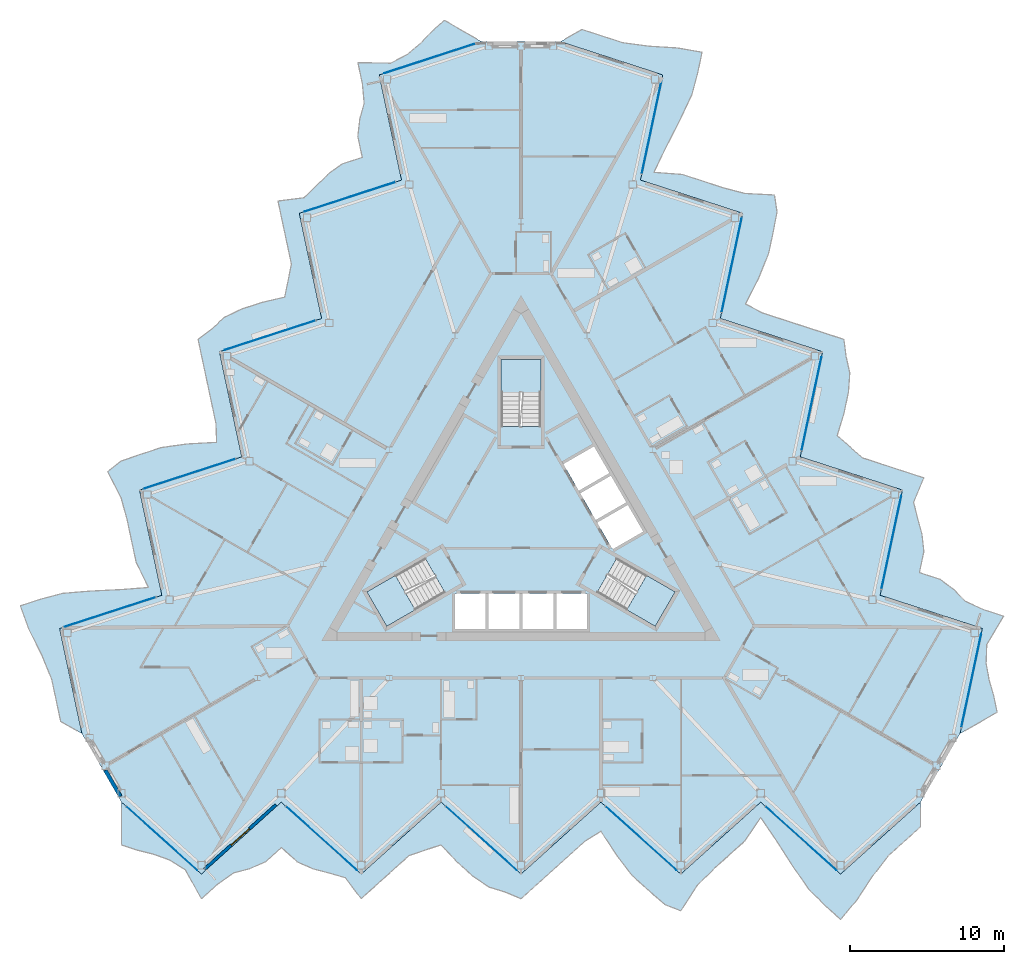
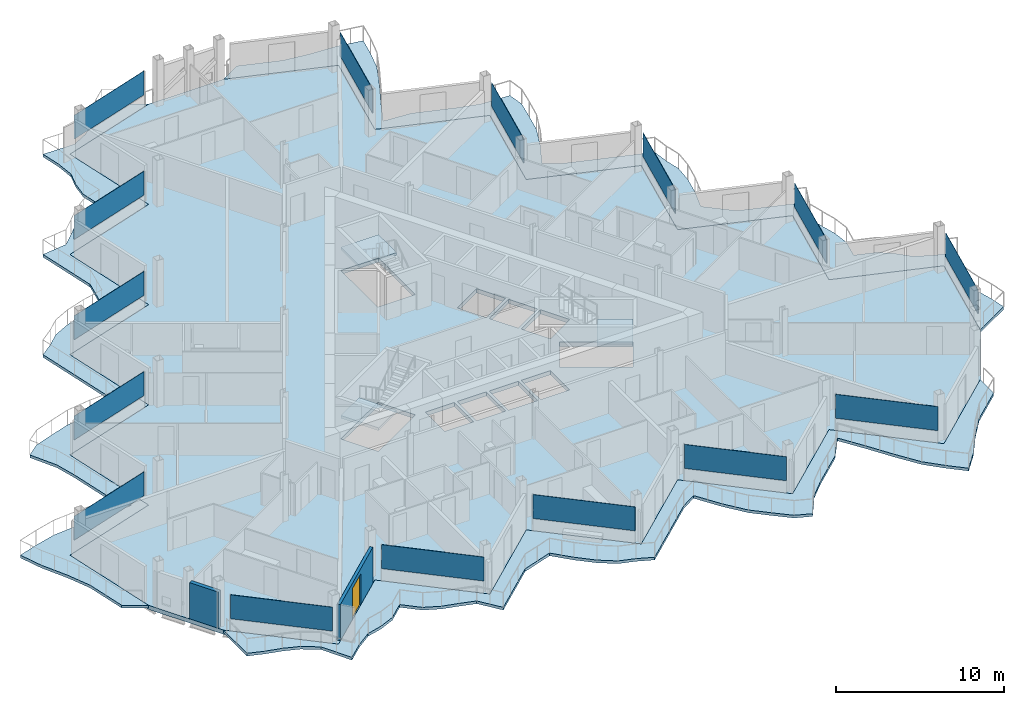
# One storey, part 11 of 26: 15 plates, 7 slabs, 2 walls, 1 door, 1 opening, 18 elements without a shape of their own.
"""IFC4 building model written with IfcOpenShell, lengths in metres."""

import ifcopenshell
import ifcopenshell.guid

model = None  # the IFC model being written
_history = None  # IfcOwnerHistory: only IFC2X3 demands one
_inside = {}  # id of a spatial element -> (the spatial element, [elements in it])
_under = {}  # id of a project, library or spatial element -> (it, [spatial elements below it])
_declared = {}  # id of a project -> (the project, [libraries it declares])
_typed = {}  # id of a type object -> (the type object, [elements of that type])
_made_of = {}  # id of a material, layer set ... -> (it, [elements and type objects made of it])


def new_model(schema):
    """Start an empty IFC model of exactly this schema.

    Asked for "IFC4X3", IfcOpenShell would pick the latest addendum, in which some entities
    have other attributes; the version numbers below select the first issue.
    IFC2X3 requires an IfcOwnerHistory on every rooted entity: one is made here for all.
    """
    global model, _history
    if schema == "IFC4X3":
        model = ifcopenshell.file(schema_version=(4, 3, 0, 0))
    else:
        model = ifcopenshell.file(schema=schema)
    _inside.clear()
    _under.clear()
    _declared.clear()
    _typed.clear()
    _made_of.clear()
    _history = None
    if model.schema == "IFC2X3":
        org = make("IfcOrganization", Name="unknown")
        user = make(
            "IfcPersonAndOrganization",
            ThePerson=make("IfcPerson", FamilyName="unknown"),
            TheOrganization=org,
        )
        app = make(
            "IfcApplication",
            ApplicationDeveloper=org,
            Version="unknown",
            ApplicationFullName="unknown",
            ApplicationIdentifier="unknown",
        )
        _history = make(
            "IfcOwnerHistory",
            OwningUser=user,
            OwningApplication=app,
            ChangeAction="ADDED",
            CreationDate=0,
        )
    return model


def make(cls, **values):
    """One entity of the class cls with the attributes given. An attribute that is None is left unset."""
    return model.create_entity(
        cls, **{name: value for name, value in values.items() if value is not None}
    )


def rooted(cls, **values):
    """An entity with a GlobalId (a new one), such as an element, a storey or a relation."""
    return make(cls, GlobalId=ifcopenshell.guid.new(), OwnerHistory=_history, **values)


def si_unit(unit_type, name, prefix=None):
    """IfcSIUnit, for example si_unit("LENGTHUNIT", "METRE", prefix="MILLI")."""
    return make("IfcSIUnit", UnitType=unit_type, Prefix=prefix, Name=name)


def assignment(units):
    """IfcUnitAssignment: the units of a project."""
    return None if units is None else make("IfcUnitAssignment", Units=units)


def point(xyz):
    """IfcCartesianPoint."""
    return None if xyz is None else make("IfcCartesianPoint", Coordinates=xyz)


def direction(xyz):
    """IfcDirection."""
    return None if xyz is None else make("IfcDirection", DirectionRatios=xyz)


def frame(location, z_axis=None, x_axis=None):
    """IfcAxis2Placement3D, a coordinate frame: its origin and axes. An axis left out is left unset."""
    return make(
        "IfcAxis2Placement3D",
        Location=point(location),
        Axis=direction(z_axis),
        RefDirection=direction(x_axis),
    )


def frame_2d(location, x_axis=None):
    """IfcAxis2Placement2D, a coordinate frame in the plane: its origin and x axis."""
    return make(
        "IfcAxis2Placement2D", Location=point(location), RefDirection=direction(x_axis)
    )


def origin():
    """The frame at (0, 0, 0) with its axes left unset."""
    return frame((0.0, 0.0, 0.0))


def origin_2d():
    """The frame at (0, 0) in the plane with its x axis left unset."""
    return frame_2d((0.0, 0.0))


def place(relative_to, where):
    """IfcLocalPlacement: puts the frame where relative to a parent placement (None: the world)."""
    return make(
        "IfcLocalPlacement", PlacementRelTo=relative_to, RelativePlacement=where
    )


def context(
    kind, dimensions, precision=None, world=None, true_north=None, identifier=None
):
    """IfcGeometricRepresentationContext, for example the 3D "Model" context."""
    return make(
        "IfcGeometricRepresentationContext",
        ContextIdentifier=identifier,
        ContextType=kind,
        CoordinateSpaceDimension=dimensions,
        Precision=precision,
        WorldCoordinateSystem=world,
        TrueNorth=true_north,
    )


def subcontext(parent, identifier, kind, view, scale=None):
    """IfcGeometricRepresentationSubContext, for example "Body" below "Model"."""
    return make(
        "IfcGeometricRepresentationSubContext",
        ContextIdentifier=identifier,
        ContextType=kind,
        ParentContext=parent,
        TargetScale=scale,
        TargetView=view,
    )


def project(units=None, contexts=None):
    """IfcProject with its units and contexts."""
    return rooted(
        "IfcProject",
        Name="project",
        RepresentationContexts=contexts,
        UnitsInContext=assignment(units),
    )


def spatial(cls, under=None, at=None, **own):
    """A site, building, storey or space (cls), placed at a placement, below another one or the project."""
    s = rooted(cls, ObjectPlacement=at, **own)
    if under is not None:
        _under.setdefault(under.id(), (under, []))[1].append(s)
    return s


def polyline(points):
    """IfcPolyline through the points."""
    return make("IfcPolyline", Points=[point(p) for p in points])


def profile(cls, at=None, kind="AREA", **sizes):
    """A parametric profile (cls). Its sizes go by their IFC names, for example OverallWidth=200.0."""
    return make(cls, ProfileType=kind, Position=at, **sizes)


def rectangle(**sizes):
    """IfcRectangleProfileDef."""
    return profile("IfcRectangleProfileDef", **sizes)


def outline(outer, holes=None, kind="AREA"):
    """IfcArbitraryClosedProfileDef: a profile drawn as a closed curve; with holes, ...WithVoids."""
    if holes is None:
        return make("IfcArbitraryClosedProfileDef", ProfileType=kind, OuterCurve=outer)
    return make(
        "IfcArbitraryProfileDefWithVoids",
        ProfileType=kind,
        OuterCurve=outer,
        InnerCurves=holes,
    )


def extrude(swept, where, along, depth):
    """IfcExtrudedAreaSolid: the profile swept, set in the frame where, extruded along a direction by depth."""
    return make(
        "IfcExtrudedAreaSolid",
        SweptArea=swept,
        Position=where,
        ExtrudedDirection=direction(along),
        Depth=depth,
    )


def shape(context_of_items, identifier, shape_type, items):
    """IfcShapeRepresentation: the items that make up one representation, for example the "Body"."""
    return make(
        "IfcShapeRepresentation",
        ContextOfItems=context_of_items,
        RepresentationIdentifier=identifier,
        RepresentationType=shape_type,
        Items=items,
    )


def material(Name=None, Category=None):
    """IfcMaterial."""
    return make("IfcMaterial", Name=Name, Category=Category)


def layer(
    of_material, thickness, ventilated=None, Name=None, Category=None, Priority=None
):
    """IfcMaterialLayer: one layer of a wall or slab, of a material (None: an air gap)."""
    return make(
        "IfcMaterialLayer",
        Material=of_material,
        LayerThickness=thickness,
        IsVentilated=ventilated,
        Name=Name,
        Category=Category,
        Priority=Priority,
    )


def layer_set(layers, Name=None):
    """IfcMaterialLayerSet."""
    return make("IfcMaterialLayerSet", MaterialLayers=layers, LayerSetName=Name)


def made_of(thing, what):
    """Note that an element or type object is made of a material, layer set ...; save() writes the relation."""
    if what is not None:
        _made_of.setdefault(what.id(), (what, []))[1].append(thing)
    return thing


def type_object(cls, material=None, **own):
    """A type object (cls), such as IfcWallType, which elements share."""
    return made_of(rooted(cls, **own), material)


def element(
    cls,
    number,
    at=None,
    inside=None,
    cuts=None,
    type_object=None,
    material=None,
    context=None,
    identifier="Body",
    shape_type=None,
    held_by="IfcProductDefinitionShape",
    body=None,
    shapes=None,
    **own,
):
    """One element of the class cls, such as IfcWall. Its Tag is "e" and its number.

    at: its placement. inside: the storey or other place that contains it. cuts: it is an
    opening in that element (IfcRelVoidsElement). A single representation is given by context,
    identifier, shape_type and body (its items); several are given by shapes. held_by: the class
    of the entity that holds the representations. save() writes the other relations.
    """
    e = rooted(cls, Tag="e%d" % number, ObjectPlacement=at, **own)
    if body is not None:
        shapes = [shape(context, identifier, shape_type, body)]
    if shapes is not None:
        e.Representation = make(held_by, Representations=shapes)
    if inside is not None:
        _inside.setdefault(inside.id(), (inside, []))[1].append(e)
    if cuts is not None:
        rooted(
            "IfcRelVoidsElement", RelatingBuildingElement=cuts, RelatedOpeningElement=e
        )
    if type_object is not None:
        _typed.setdefault(type_object.id(), (type_object, []))[1].append(e)
    return made_of(e, material)


def fill(opening, filler):
    """IfcRelFillsElement: the door or window that sits in an opening."""
    return rooted(
        "IfcRelFillsElement",
        RelatingOpeningElement=opening,
        RelatedBuildingElement=filler,
    )


def aggregate(whole, parts):
    """IfcRelAggregates: a whole, such as a stair, and the parts it consists of."""
    return rooted("IfcRelAggregates", RelatingObject=whole, RelatedObjects=parts)


def save(model, path):
    """Write the relations noted so far, then the file.

    IfcRelAggregates (storeys below a building ...), IfcRelContainedInSpatialStructure (elements
    in a storey), IfcRelDefinesByType, IfcRelAssociatesMaterial and IfcRelDeclares: one each for
    every whole, place, type object, material and project.
    """
    for whole, parts in _under.values():
        aggregate(whole, parts)
    for where, things in _inside.values():
        rooted(
            "IfcRelContainedInSpatialStructure",
            RelatedElements=things,
            RelatingStructure=where,
        )
    for kind, things in _typed.values():
        rooted("IfcRelDefinesByType", RelatedObjects=things, RelatingType=kind)
    for what, things in _made_of.values():
        rooted("IfcRelAssociatesMaterial", RelatedObjects=things, RelatingMaterial=what)
    for by, libraries in _declared.values():
        rooted("IfcRelDeclares", RelatingContext=by, RelatedDefinitions=libraries)
    model.write(path)


model = new_model("IFC4")

# Units and contexts
model_context = context("Model", 3, precision=1e-05, world=origin(), true_north=direction((0.0, 1.0)))
body_context = subcontext(model_context, "Body", "Model", "MODEL_VIEW")
ifc_project = project(units=[si_unit("LENGTHUNIT", "METRE"), si_unit("AREAUNIT", "SQUARE_METRE"), si_unit("VOLUMEUNIT", "CUBIC_METRE"), si_unit("PLANEANGLEUNIT", "RADIAN"), si_unit("MASSUNIT", "GRAM", prefix="KILO")], contexts=[model_context])

# Site, building, storey
site_placement = place(None, origin())
site = spatial("IfcSite", under=ifc_project, at=site_placement, CompositionType="ELEMENT")
building_placement = place(site_placement, origin())
building = spatial("IfcBuilding", under=site, at=building_placement, Name="Cormorant Prow Tower", CompositionType="ELEMENT")
storey_placement = place(building_placement, frame((0.0, 0.0, 378.0)))
storey = spatial("IfcBuildingStorey", under=building, at=storey_placement, Name="L85", CompositionType="ELEMENT", Elevation=378.0)

# Slabs
ifc_material_1 = material(Name="Concrete C40/50", Category="concrete")
ifc_layer_1 = layer(ifc_material_1, 0.199951171875)
ifc_layer_set_1 = layer_set([ifc_layer_1], Name="Concrete C40/50")
slab_type_1 = type_object("IfcSlabType", Name="Balcony slab 200", PredefinedType="FLOOR", material=ifc_layer_set_1)
slab_1_placement = place(storey_placement, frame((0.0, 0.0, -0.199951171875)))
element("IfcSlab", 1, at=slab_1_placement, inside=storey, type_object=slab_type_1, Name="Balcony slab S L85", PredefinedType="FLOOR", context=body_context, shape_type="SweptSolid", body=[
    extrude(outline(polyline([(-26.0, -17.9833984375), (-26.0, -20.767333984375), (-24.9599609375, -21.112060546875), (-23.919921875, -21.37060546875), (-22.8798828125, -21.74267578125), (-21.840087890625, -22.394775390625), (-20.800048828125, -24.265625), (-19.760009765625, -23.3291015625), (-18.719970703125, -22.5927734375), (-17.679931640625, -22.322021484375), (-16.639892578125, -21.869873046875), (-15.60009765625, -20.93359375), (-14.56005859375, -21.869873046875), (-13.52001953125, -22.32666015625), (-12.47998046875, -22.59814453125), (-11.43994140625, -22.8974609375), (-10.39990234375, -24.265625), (-9.360107421875, -23.3291015625), (-8.320068359375, -22.392822265625), (-7.280029296875, -21.456298828125), (-6.239990234375, -21.106689453125), (-5.199951171875, -20.763671875), (-4.159912109375, -21.869873046875), (-3.1201171875, -22.806396484375), (-2.080078125, -23.50927734375), (-1.0400390625, -23.8310546875), (0.0, -24.265625), (1.0400390625, -23.3291015625), (2.080078125, -22.392822265625), (3.1201171875, -21.456298828125), (4.159912109375, -20.52001953125), (5.199951171875, -19.87548828125), (6.239990234375, -21.466064453125), (7.280029296875, -22.806396484375), (8.320068359375, -23.74267578125), (9.360107421875, -24.645751953125), (10.39990234375, -25.052490234375), (11.43994140625, -23.443115234375), (12.47998046875, -22.392822265625), (13.52001953125, -21.456298828125), (14.56005859375, -20.52001953125), (15.60009765625, -18.9921875), (16.639892578125, -20.517578125), (17.679931640625, -22.132080078125), (18.719970703125, -23.6357421875), (19.760009765625, -24.67919921875), (20.800048828125, -25.61572265625), (21.840087890625, -24.373779296875), (22.8798828125, -22.80322265625), (23.919921875, -21.456298828125), (24.9599609375, -20.52001953125), (26.0, -19.58349609375), (26.0, -17.9833984375), (24.9599609375, -18.919921875), (23.919921875, -19.8564453125), (22.8798828125, -20.792724609375), (21.840087890625, -21.729248046875), (20.800048828125, -22.66552734375), (19.760009765625, -21.729248046875), (18.719970703125, -20.792724609375), (17.679931640625, -19.8564453125), (16.639892578125, -18.919921875), (15.60009765625, -17.9833984375), (14.56005859375, -18.919921875), (13.52001953125, -19.8564453125), (12.47998046875, -20.792724609375), (11.43994140625, -21.729248046875), (10.39990234375, -22.66552734375), (9.360107421875, -21.729248046875), (8.320068359375, -20.792724609375), (7.280029296875, -19.8564453125), (6.239990234375, -18.919921875), (5.199951171875, -17.9833984375), (4.159912109375, -18.919921875), (3.1201171875, -19.8564453125), (2.080078125, -20.792724609375), (1.0400390625, -21.729248046875), (0.0, -22.66552734375), (-1.0400390625, -21.729248046875), (-2.080078125, -20.792724609375), (-3.1201171875, -19.8564453125), (-4.159912109375, -18.919921875), (-5.199951171875, -17.9833984375), (-6.239990234375, -18.919921875), (-7.280029296875, -19.8564453125), (-8.320068359375, -20.792724609375), (-9.360107421875, -21.729248046875), (-10.39990234375, -22.66552734375), (-11.43994140625, -21.729248046875), (-12.47998046875, -20.792724609375), (-13.52001953125, -19.8564453125), (-14.56005859375, -18.919921875), (-15.60009765625, -17.9833984375), (-16.639892578125, -18.919921875), (-17.679931640625, -19.8564453125), (-18.719970703125, -20.792724609375), (-19.760009765625, -21.729248046875), (-20.800048828125, -22.66552734375), (-21.840087890625, -21.729248046875), (-22.8798828125, -20.792724609375), (-23.919921875, -19.8564453125), (-24.9599609375, -18.919921875), (-26.0, -17.9833984375)])), origin(), (0.0, 0.0, 1.0), 0.199951171875),
])
slab_2_placement = place(storey_placement, frame((0.0, 0.0, -0.199951171875)))
element("IfcSlab", 2, at=slab_2_placement, inside=storey, type_object=slab_type_1, Name="Balcony slab ENE L85", PredefinedType="FLOOR", context=body_context, shape_type="SweptSolid", body=[
    extrude(outline(polyline([(28.57421875, -13.52490234375), (30.985107421875, -12.133056640625), (30.763427734375, -11.06005859375), (30.467529296875, -10.030029296875), (30.269775390625, -8.943359375), (30.314453125, -7.716552734375), (31.41455078125, -5.880615234375), (30.083740234375, -5.447998046875), (28.926025390625, -4.91552734375), (28.17138671875, -4.150390625), (27.260009765625, -3.4755859375), (25.928955078125, -3.043212890625), (26.219970703125, -1.67431640625), (26.095458984375, -0.54541015625), (25.810546875, 0.490966796875), (25.5498046875, 1.54150390625), (26.214599609375, 3.126220703125), (24.883544921875, 3.55859375), (23.552734375, 3.990966796875), (22.2216796875, 4.423583984375), (21.39892578125, 5.1494140625), (20.581787109375, 5.87841796875), (21.02001953125, 7.332275390625), (21.310791015625, 8.701171875), (21.399658203125, 9.953369140625), (21.158203125, 11.014892578125), (21.0146484375, 12.1328125), (19.68359375, 12.565185546875), (18.352783203125, 12.997802734375), (17.021728515625, 13.43017578125), (15.690673828125, 13.862548828125), (14.61279296875, 14.441162109375), (15.47021484375, 16.136962890625), (16.11083984375, 17.707763671875), (16.40185546875, 19.07666015625), (16.663818359375, 20.428955078125), (16.49609375, 21.532958984375), (14.582275390625, 21.62890625), (13.152587890625, 22.00439453125), (11.82177734375, 22.436767578125), (10.49072265625, 22.869384765625), (8.647705078125, 23.006103515625), (9.44873046875, 24.66943359375), (10.326904296875, 26.377197265625), (11.109130859375, 28.02978515625), (11.492919921875, 29.4521484375), (11.78369140625, 30.821044921875), (10.188232421875, 31.100830078125), (8.308349609375, 31.21630859375), (6.621826171875, 31.443603515625), (5.290771484375, 31.8759765625), (3.959716796875, 32.308349609375), (2.57421875, 31.50830078125), (3.905029296875, 31.075927734375), (5.236083984375, 30.6435546875), (6.567138671875, 30.2109375), (7.89794921875, 29.778564453125), (9.22900390625, 29.34619140625), (8.93798828125, 27.977294921875), (8.64697265625, 26.6083984375), (8.356201171875, 25.239501953125), (8.065185546875, 23.87060546875), (7.774169921875, 22.501708984375), (9.105224609375, 22.0693359375), (10.43603515625, 21.63671875), (11.76708984375, 21.204345703125), (13.09814453125, 20.77197265625), (14.428955078125, 20.33935546875), (14.137939453125, 18.970703125), (13.84716796875, 17.601806640625), (13.55615234375, 16.23291015625), (13.26513671875, 14.864013671875), (12.97412109375, 13.4951171875), (14.30517578125, 13.062744140625), (15.635986328125, 12.630126953125), (16.967041015625, 12.19775390625), (18.298095703125, 11.76513671875), (19.62890625, 11.332763671875), (19.338134765625, 9.9638671875), (19.047119140625, 8.594970703125), (18.756103515625, 7.22607421875), (18.465087890625, 5.857177734375), (18.174072265625, 4.488525390625), (19.505126953125, 4.055908203125), (20.836181640625, 3.62353515625), (22.1669921875, 3.191162109375), (23.498046875, 2.758544921875), (24.8291015625, 2.326171875), (24.5380859375, 0.957275390625), (24.2470703125, -0.41162109375), (23.9560546875, -1.780517578125), (23.6650390625, -3.1494140625), (23.374267578125, -4.518310546875), (24.705078125, -4.95068359375), (26.0361328125, -5.383056640625), (27.366943359375, -5.815673828125), (28.697998046875, -6.248046875), (30.029052734375, -6.680419921875), (29.738037109375, -8.04931640625), (29.447021484375, -9.418212890625), (29.156005859375, -10.787109375), (28.865234375, -12.156005859375), (28.57421875, -13.52490234375)])), origin(), (0.0, 0.0, 1.0), 0.199951171875),
])
slab_3_placement = place(storey_placement, frame((0.0, 0.0, -0.199951171875)))
element("IfcSlab", 3, at=slab_3_placement, inside=storey, type_object=slab_type_1, Name="Balcony slab WNW L85", PredefinedType="FLOOR", context=body_context, shape_type="SweptSolid", body=[
    extrude(outline(polyline([(-2.57421875, 31.50830078125), (-4.985107421875, 32.900390625), (-5.803466796875, 32.171875), (-6.54736328125, 31.400634765625), (-7.389892578125, 30.68603515625), (-8.474365234375, 30.111328125), (-10.61474609375, 30.146240234375), (-10.32373046875, 28.77734375), (-10.2060546875, 27.50830078125), (-10.491455078125, 26.472412109375), (-10.619873046875, 25.345703125), (-10.328857421875, 23.976806640625), (-11.659912109375, 23.544189453125), (-12.575439453125, 22.8720703125), (-13.33056640625, 22.107177734375), (-14.10986328125, 21.35595703125), (-15.814697265625, 21.139404296875), (-15.523681640625, 19.7705078125), (-15.232666015625, 18.401611328125), (-14.941650390625, 17.03271484375), (-15.158935546875, 15.95751953125), (-15.3818359375, 14.88525390625), (-16.85986328125, 14.53759765625), (-18.19091796875, 14.105224609375), (-19.319580078125, 13.555908203125), (-20.1181640625, 12.816162109375), (-21.0146484375, 12.1328125), (-20.7236328125, 10.763916015625), (-20.4326171875, 9.39501953125), (-20.141845703125, 8.026123046875), (-19.850830078125, 6.6572265625), (-19.812744140625, 5.434326171875), (-21.710205078125, 5.3291015625), (-23.390869140625, 5.098388671875), (-24.721923828125, 4.666015625), (-26.02392578125, 4.216796875), (-26.896240234375, 3.51953125), (-26.022216796875, 1.814208984375), (-25.6328125, 0.388427734375), (-25.341796875, -0.98046875), (-25.05078125, -2.349365234375), (-24.24755859375, -4.013916015625), (-26.088623046875, -4.15185546875), (-28.0068359375, -4.245361328125), (-29.8291015625, -4.39404296875), (-31.252685546875, -4.77294921875), (-32.583740234375, -5.20556640625), (-32.0283203125, -6.72705078125), (-31.188232421875, -8.4130859375), (-30.541748046875, -9.987060546875), (-30.250732421875, -11.35595703125), (-29.959716796875, -12.724853515625), (-28.57421875, -13.52490234375), (-28.865234375, -12.156005859375), (-29.156005859375, -10.787109375), (-29.447021484375, -9.418212890625), (-29.738037109375, -8.04931640625), (-30.029052734375, -6.680419921875), (-28.697998046875, -6.248046875), (-27.366943359375, -5.815673828125), (-26.0361328125, -5.383056640625), (-24.705078125, -4.95068359375), (-23.374267578125, -4.518310546875), (-23.6650390625, -3.1494140625), (-23.9560546875, -1.780517578125), (-24.2470703125, -0.41162109375), (-24.5380859375, 0.957275390625), (-24.8291015625, 2.326171875), (-23.498046875, 2.758544921875), (-22.1669921875, 3.191162109375), (-20.836181640625, 3.62353515625), (-19.505126953125, 4.055908203125), (-18.174072265625, 4.488525390625), (-18.465087890625, 5.857177734375), (-18.756103515625, 7.22607421875), (-19.047119140625, 8.594970703125), (-19.338134765625, 9.9638671875), (-19.62890625, 11.332763671875), (-18.298095703125, 11.76513671875), (-16.967041015625, 12.19775390625), (-15.635986328125, 12.630126953125), (-14.30517578125, 13.062744140625), (-12.97412109375, 13.4951171875), (-13.26513671875, 14.864013671875), (-13.55615234375, 16.23291015625), (-13.84716796875, 17.601806640625), (-14.137939453125, 18.970703125), (-14.428955078125, 20.33935546875), (-13.09814453125, 20.77197265625), (-11.76708984375, 21.204345703125), (-10.43603515625, 21.63671875), (-9.105224609375, 22.0693359375), (-7.774169921875, 22.501708984375), (-8.065185546875, 23.87060546875), (-8.356201171875, 25.239501953125), (-8.64697265625, 26.6083984375), (-8.93798828125, 27.977294921875), (-9.22900390625, 29.34619140625), (-7.89794921875, 29.778564453125), (-6.567138671875, 30.2109375), (-5.236083984375, 30.6435546875), (-3.905029296875, 31.075927734375), (-2.57421875, 31.50830078125)])), origin(), (0.0, 0.0, 1.0), 0.199951171875),
])
ifc_material_2 = material(Name="Concrete C40/50", Category="concrete")
ifc_layer_2 = layer(ifc_material_2, 0.300048828125)
ifc_layer_set_2 = layer_set([ifc_layer_2], Name="Concrete C40/50")
slab_type_2 = type_object("IfcSlabType", Name="Post-tensioned flat slab 300", PredefinedType="FLOOR", material=ifc_layer_set_2)
slab_4_placement = place(storey_placement, frame((0.0, 0.0, -0.300048828125)))
element("IfcSlab", 4, at=slab_4_placement, inside=storey, type_object=slab_type_2, Name="Floor slab L85", PredefinedType="FLOOR", context=body_context, shape_type="SweptSolid", body=[
    extrude(outline(polyline([(-7.774169921875, 22.501708984375), (-14.428955078125, 20.33935546875), (-12.97412109375, 13.4951171875), (-19.62890625, 11.332763671875), (-18.174072265625, 4.488525390625), (-24.8291015625, 2.326171875), (-23.374267578125, -4.518310546875), (-30.029052734375, -6.680419921875), (-28.57421875, -13.52490234375), (-27.287109375, -15.754150390625), (-26.0, -17.9833984375), (-20.800048828125, -22.66552734375), (-15.60009765625, -17.9833984375), (-10.39990234375, -22.66552734375), (-5.199951171875, -17.9833984375), (0.0, -22.66552734375), (5.199951171875, -17.9833984375), (10.39990234375, -22.66552734375), (15.60009765625, -17.9833984375), (20.800048828125, -22.66552734375), (26.0, -17.9833984375), (27.287109375, -15.754150390625), (28.57421875, -13.52490234375), (30.029052734375, -6.680419921875), (23.374267578125, -4.518310546875), (24.8291015625, 2.326171875), (18.174072265625, 4.488525390625), (19.62890625, 11.332763671875), (12.97412109375, 13.4951171875), (14.428955078125, 20.33935546875), (7.774169921875, 22.501708984375), (9.22900390625, 29.34619140625), (2.57421875, 31.50830078125), (0.0, 31.50830078125), (-2.57421875, 31.50830078125), (-9.22900390625, 29.34619140625), (-7.774169921875, 22.501708984375)]), holes=[polyline([(-4.300048828125, -4.39990234375), (-2.300048828125, -4.39990234375), (-2.300048828125, -6.699951171875), (-4.300048828125, -6.699951171875), (-4.300048828125, -4.39990234375)]), polyline([(-0.10009765625, -4.39990234375), (-0.10009765625, -6.699951171875), (-2.10009765625, -6.699951171875), (-2.10009765625, -4.39990234375), (-0.10009765625, -4.39990234375)]), polyline([(2.10009765625, -6.699951171875), (0.10009765625, -6.699951171875), (0.10009765625, -4.39990234375), (2.10009765625, -4.39990234375), (2.10009765625, -6.699951171875)]), polyline([(2.300048828125, -6.699951171875), (2.300048828125, -4.39990234375), (4.300048828125, -4.39990234375), (4.300048828125, -6.699951171875), (2.300048828125, -6.699951171875)]), polyline([(5.96044921875, -1.52392578125), (4.96044921875, 0.2080078125), (6.952392578125, 1.358154296875), (7.952392578125, -0.373779296875), (5.96044921875, -1.52392578125)]), polyline([(3.860595703125, 2.11328125), (5.852294921875, 3.263427734375), (6.852294921875, 1.53125), (4.860595703125, 0.38134765625), (3.860595703125, 2.11328125)]), polyline([(4.75244140625, 5.168701171875), (5.75244140625, 3.4365234375), (3.760498046875, 2.28662109375), (2.760498046875, 4.018798828125), (4.75244140625, 5.168701171875)]), polyline([(-4.947509765625, -4.3505859375), (-8.738037109375, -6.5390625), (-10.031982421875, -4.2978515625), (-6.241455078125, -2.109375), (-4.947509765625, -4.3505859375)]), polyline([(10.031982421875, -4.2978515625), (8.738037109375, -6.5390625), (4.947509765625, -4.3505859375), (6.241455078125, -2.109375), (10.031982421875, -4.2978515625)]), polyline([(1.2939453125, 10.8369140625), (1.2939453125, 6.459716796875), (-1.2939453125, 6.459716796875), (-1.2939453125, 10.8369140625), (1.2939453125, 10.8369140625)])]), origin(), (0.0, 0.0, 1.0), 0.300048828125),
])

# Curtain wall, plate
ifc_material_3 = material(Name="Aluminium 6063-T6", Category="aluminium")
ifc_layer_3 = layer(ifc_material_3, 0.159912109375)
ifc_layer_set_3 = layer_set([ifc_layer_3], Name="Aluminium 6063-T6")
curtain_wall_type = type_object("IfcCurtainWallType", Name="Residential unitised curtain wall 160", PredefinedType="NOTDEFINED", material=ifc_layer_set_3)
curtain_wall_1_placement = place(storey_placement, origin())
curtain_wall_1 = element("IfcCurtainWall", 5, at=curtain_wall_1_placement, inside=storey, type_object=curtain_wall_type, Name="Residential curtain wall S00", PredefinedType="NOTDEFINED")
ifc_material_4 = material(Name="Clear glass", Category="glass")
ifc_layer_4 = layer(ifc_material_4, 0.02392578125)
ifc_layer_set_4 = layer_set([ifc_layer_4], Name="Clear glass")
plate_type = type_object("IfcPlateType", Name="Residential glass panel 24", PredefinedType="CURTAIN_PANEL", material=ifc_layer_set_4)
plate_1_placement = place(storey_placement, frame((-23.38134765625, -20.34130859375, 0.89990234375), z_axis=(0.0, 0.0, 1.0), x_axis=(0.743144827638, -0.669130603959, 0.0)))
plate_1 = element("IfcPlate", 6, at=plate_1_placement, type_object=plate_type, Name="Residential glass panel S00", PredefinedType="CURTAIN_PANEL", context=body_context, shape_type="SweptSolid", body=[
    extrude(rectangle(XDim=6.21533203125, YDim=0.02392578125, at=origin_2d()), origin(), (0.0, 0.0, 1.0), 1.73388671875),
])
aggregate(curtain_wall_1, [plate_1])

curtain_wall_2_placement = place(storey_placement, origin())
curtain_wall_2 = element("IfcCurtainWall", 7, at=curtain_wall_2_placement, inside=storey, type_object=curtain_wall_type, Name="Residential curtain wall S02", PredefinedType="NOTDEFINED")
plate_2_placement = place(storey_placement, frame((-12.9814453125, -20.34130859375, 0.89990234375), z_axis=(0.0, 0.0, 1.0), x_axis=(0.743144827638, -0.669130603959, 0.0)))
plate_2 = element("IfcPlate", 8, at=plate_2_placement, type_object=plate_type, Name="Residential glass panel S02", PredefinedType="CURTAIN_PANEL", context=body_context, shape_type="SweptSolid", body=[
    extrude(rectangle(XDim=6.21533203125, YDim=0.02392578125, at=origin_2d()), origin(), (0.0, 0.0, 1.0), 1.73388671875),
])
aggregate(curtain_wall_2, [plate_2])

curtain_wall_3_placement = place(storey_placement, origin())
curtain_wall_3 = element("IfcCurtainWall", 9, at=curtain_wall_3_placement, inside=storey, type_object=curtain_wall_type, Name="Residential curtain wall S04", PredefinedType="NOTDEFINED")
plate_3_placement = place(storey_placement, frame((-2.58154296875, -20.34130859375, 0.89990234375), z_axis=(0.0, 0.0, 1.0), x_axis=(0.743144827638, -0.669130603959, 0.0)))
plate_3 = element("IfcPlate", 10, at=plate_3_placement, type_object=plate_type, Name="Residential glass panel S04", PredefinedType="CURTAIN_PANEL", context=body_context, shape_type="SweptSolid", body=[
    extrude(rectangle(XDim=6.21533203125, YDim=0.02392578125, at=origin_2d()), origin(), (0.0, 0.0, 1.0), 1.73388671875),
])
aggregate(curtain_wall_3, [plate_3])

curtain_wall_4_placement = place(storey_placement, origin())
curtain_wall_4 = element("IfcCurtainWall", 11, at=curtain_wall_4_placement, inside=storey, type_object=curtain_wall_type, Name="Residential curtain wall S06", PredefinedType="NOTDEFINED")
plate_4_placement = place(storey_placement, frame((7.818603515625, -20.34130859375, 0.89990234375), z_axis=(0.0, 0.0, 1.0), x_axis=(0.743144827638, -0.669130603959, 0.0)))
plate_4 = element("IfcPlate", 12, at=plate_4_placement, type_object=plate_type, Name="Residential glass panel S06", PredefinedType="CURTAIN_PANEL", context=body_context, shape_type="SweptSolid", body=[
    extrude(rectangle(XDim=6.21533203125, YDim=0.02392578125, at=origin_2d()), origin(), (0.0, 0.0, 1.0), 1.73388671875),
])
aggregate(curtain_wall_4, [plate_4])

curtain_wall_5_placement = place(storey_placement, origin())
curtain_wall_5 = element("IfcCurtainWall", 13, at=curtain_wall_5_placement, inside=storey, type_object=curtain_wall_type, Name="Residential curtain wall S08", PredefinedType="NOTDEFINED")
plate_5_placement = place(storey_placement, frame((18.218505859375, -20.34130859375, 0.89990234375), z_axis=(0.0, 0.0, 1.0), x_axis=(0.743144827638, -0.669130603959, 0.0)))
plate_5 = element("IfcPlate", 14, at=plate_5_placement, type_object=plate_type, Name="Residential glass panel S08", PredefinedType="CURTAIN_PANEL", context=body_context, shape_type="SweptSolid", body=[
    extrude(rectangle(XDim=6.21533203125, YDim=0.02392578125, at=origin_2d()), origin(), (0.0, 0.0, 1.0), 1.73388671875),
])
aggregate(curtain_wall_5, [plate_5])

curtain_wall_6_placement = place(storey_placement, origin())
curtain_wall_6 = element("IfcCurtainWall", 15, at=curtain_wall_6_placement, inside=storey, type_object=curtain_wall_type, Name="Residential curtain wall ENE00", PredefinedType="NOTDEFINED")
plate_6_placement = place(storey_placement, frame((29.306884765625, -10.078369140625, 0.89990234375), z_axis=(0.0, 0.0, 1.0), x_axis=(0.207911620089, 0.978147615768, 0.0)))
plate_6 = element("IfcPlate", 16, at=plate_6_placement, type_object=plate_type, Name="Residential glass panel ENE00", PredefinedType="CURTAIN_PANEL", context=body_context, shape_type="SweptSolid", body=[
    extrude(rectangle(XDim=6.21533203125, YDim=0.02392578125, at=origin_2d()), origin(), (0.0, 0.0, 1.0), 1.73388671875),
])
aggregate(curtain_wall_6, [plate_6])

curtain_wall_7_placement = place(storey_placement, origin())
curtain_wall_7 = element("IfcCurtainWall", 17, at=curtain_wall_7_placement, inside=storey, type_object=curtain_wall_type, Name="Residential curtain wall ENE02", PredefinedType="NOTDEFINED")
plate_7_placement = place(storey_placement, frame((24.106689453125, -1.071533203125, 0.89990234375), z_axis=(0.0, 0.0, 1.0), x_axis=(0.207911649162, 0.978147609588, 0.0)))
plate_7 = element("IfcPlate", 18, at=plate_7_placement, type_object=plate_type, Name="Residential glass panel ENE02", PredefinedType="CURTAIN_PANEL", context=body_context, shape_type="SweptSolid", body=[
    extrude(rectangle(XDim=6.21533203125, YDim=0.02392578125, at=origin_2d()), origin(), (0.0, 0.0, 1.0), 1.73388671875),
])
aggregate(curtain_wall_7, [plate_7])

curtain_wall_8_placement = place(storey_placement, origin())
curtain_wall_8 = element("IfcCurtainWall", 19, at=curtain_wall_8_placement, inside=storey, type_object=curtain_wall_type, Name="Residential curtain wall ENE04", PredefinedType="NOTDEFINED")
plate_8_placement = place(storey_placement, frame((18.90673828125, 7.93505859375, 0.89990234375), z_axis=(0.0, 0.0, 1.0), x_axis=(0.207911620089, 0.978147615768, 0.0)))
plate_8 = element("IfcPlate", 20, at=plate_8_placement, type_object=plate_type, Name="Residential glass panel ENE04", PredefinedType="CURTAIN_PANEL", context=body_context, shape_type="SweptSolid", body=[
    extrude(rectangle(XDim=6.21533203125, YDim=0.02392578125, at=origin_2d()), origin(), (0.0, 0.0, 1.0), 1.73388671875),
])
aggregate(curtain_wall_8, [plate_8])

curtain_wall_9_placement = place(storey_placement, origin())
curtain_wall_9 = element("IfcCurtainWall", 21, at=curtain_wall_9_placement, inside=storey, type_object=curtain_wall_type, Name="Residential curtain wall ENE06", PredefinedType="NOTDEFINED")
plate_9_placement = place(storey_placement, frame((13.706787109375, 16.941650390625, 0.89990234375), z_axis=(0.0, 0.0, 1.0), x_axis=(0.207911620089, 0.978147615768, 0.0)))
plate_9 = element("IfcPlate", 22, at=plate_9_placement, type_object=plate_type, Name="Residential glass panel ENE06", PredefinedType="CURTAIN_PANEL", context=body_context, shape_type="SweptSolid", body=[
    extrude(rectangle(XDim=6.21533203125, YDim=0.02392578125, at=origin_2d()), origin(), (0.0, 0.0, 1.0), 1.73388671875),
])
aggregate(curtain_wall_9, [plate_9])

curtain_wall_10_placement = place(storey_placement, origin())
curtain_wall_10 = element("IfcCurtainWall", 23, at=curtain_wall_10_placement, inside=storey, type_object=curtain_wall_type, Name="Residential curtain wall ENE08", PredefinedType="NOTDEFINED")
plate_10_placement = place(storey_placement, frame((8.5068359375, 25.948486328125, 0.89990234375), z_axis=(0.0, 0.0, 1.0), x_axis=(0.207911649162, 0.978147609588, 0.0)))
plate_10 = element("IfcPlate", 24, at=plate_10_placement, type_object=plate_type, Name="Residential glass panel ENE08", PredefinedType="CURTAIN_PANEL", context=body_context, shape_type="SweptSolid", body=[
    extrude(rectangle(XDim=6.21533203125, YDim=0.02392578125, at=origin_2d()), origin(), (0.0, 0.0, 1.0), 1.73388671875),
])
aggregate(curtain_wall_10, [plate_10])

curtain_wall_11_placement = place(storey_placement, origin())
curtain_wall_11 = element("IfcCurtainWall", 25, at=curtain_wall_11_placement, inside=storey, type_object=curtain_wall_type, Name="Residential curtain wall WNW00", PredefinedType="NOTDEFINED")
plate_11_placement = place(storey_placement, frame((-5.92529296875, 30.41943359375, 0.89990234375), z_axis=(0.0, 0.0, 1.0), x_axis=(-0.951056506549, -0.309017024369, 0.0)))
plate_11 = element("IfcPlate", 26, at=plate_11_placement, type_object=plate_type, Name="Residential glass panel WNW00", PredefinedType="CURTAIN_PANEL", context=body_context, shape_type="SweptSolid", body=[
    extrude(rectangle(XDim=6.21533203125, YDim=0.02392578125, at=origin_2d()), origin(), (0.0, 0.0, 1.0), 1.73388671875),
])
aggregate(curtain_wall_11, [plate_11])

curtain_wall_12_placement = place(storey_placement, origin())
curtain_wall_12 = element("IfcCurtainWall", 27, at=curtain_wall_12_placement, inside=storey, type_object=curtain_wall_type, Name="Residential curtain wall WNW02", PredefinedType="NOTDEFINED")
plate_12_placement = place(storey_placement, frame((-11.125244140625, 21.412841796875, 0.89990234375), z_axis=(0.0, 0.0, 1.0), x_axis=(-0.951056492904, -0.309017066365, 0.0)))
plate_12 = element("IfcPlate", 28, at=plate_12_placement, type_object=plate_type, Name="Residential glass panel WNW02", PredefinedType="CURTAIN_PANEL", context=body_context, shape_type="SweptSolid", body=[
    extrude(rectangle(XDim=6.21533203125, YDim=0.02392578125, at=origin_2d()), origin(), (0.0, 0.0, 1.0), 1.73388671875),
])
aggregate(curtain_wall_12, [plate_12])

curtain_wall_13_placement = place(storey_placement, origin())
curtain_wall_13 = element("IfcCurtainWall", 29, at=curtain_wall_13_placement, inside=storey, type_object=curtain_wall_type, Name="Residential curtain wall WNW04", PredefinedType="NOTDEFINED")
plate_13_placement = place(storey_placement, frame((-16.325439453125, 12.40625, 0.89990234375), z_axis=(0.0, 0.0, 1.0), x_axis=(-0.951056534902, -0.309016937108, 0.0)))
plate_13 = element("IfcPlate", 30, at=plate_13_placement, type_object=plate_type, Name="Residential glass panel WNW04", PredefinedType="CURTAIN_PANEL", context=body_context, shape_type="SweptSolid", body=[
    extrude(rectangle(XDim=6.21533203125, YDim=0.02392578125, at=origin_2d()), origin(), (0.0, 0.0, 1.0), 1.73388671875),
])
aggregate(curtain_wall_13, [plate_13])

curtain_wall_14_placement = place(storey_placement, origin())
curtain_wall_14 = element("IfcCurtainWall", 31, at=curtain_wall_14_placement, inside=storey, type_object=curtain_wall_type, Name="Residential curtain wall WNW06", PredefinedType="NOTDEFINED")
plate_14_placement = place(storey_placement, frame((-21.525390625, 3.399658203125, 0.89990234375), z_axis=(0.0, 0.0, 1.0), x_axis=(-0.951056492904, -0.309017066365, 0.0)))
plate_14 = element("IfcPlate", 32, at=plate_14_placement, type_object=plate_type, Name="Residential glass panel WNW06", PredefinedType="CURTAIN_PANEL", context=body_context, shape_type="SweptSolid", body=[
    extrude(rectangle(XDim=6.21533203125, YDim=0.02392578125, at=origin_2d()), origin(), (0.0, 0.0, 1.0), 1.73388671875),
])
aggregate(curtain_wall_14, [plate_14])

curtain_wall_15_placement = place(storey_placement, origin())
curtain_wall_15 = element("IfcCurtainWall", 33, at=curtain_wall_15_placement, inside=storey, type_object=curtain_wall_type, Name="Residential curtain wall WNW08", PredefinedType="NOTDEFINED")
plate_15_placement = place(storey_placement, frame((-26.725341796875, -5.607177734375, 0.89990234375), z_axis=(0.0, 0.0, 1.0), x_axis=(-0.951056492904, -0.309017066365, 0.0)))
plate_15 = element("IfcPlate", 34, at=plate_15_placement, type_object=plate_type, Name="Residential glass panel WNW08", PredefinedType="CURTAIN_PANEL", context=body_context, shape_type="SweptSolid", body=[
    extrude(rectangle(XDim=6.21533203125, YDim=0.02392578125, at=origin_2d()), origin(), (0.0, 0.0, 1.0), 1.73388671875),
])
aggregate(curtain_wall_15, [plate_15])

# Stair, slab
ifc_material_5 = material(Name="Exit stair 18 risers")
stair_type = type_object("IfcStairType", Name="Exit stair 18 risers", PredefinedType="HALF_TURN_STAIR", material=ifc_material_5)
stair_1_placement = place(storey_placement, origin())
stair_1 = element("IfcStair", 35, at=stair_1_placement, inside=storey, type_object=stair_type, Name="L85 Exit stair ST1", PredefinedType="HALF_TURN_STAIR")
ifc_material_6 = material(Name="Concrete 5000 psi", Category="concrete")
ifc_layer_5 = layer(ifc_material_6, 0.199951171875)
ifc_layer_set_5 = layer_set([ifc_layer_5], Name="Concrete 5000 psi")
slab_type_3 = type_object("IfcSlabType", Name="Stair landing 200", PredefinedType="LANDING", material=ifc_layer_set_5)
slab_5_placement = place(storey_placement, frame((0.0, 0.0, 1.5)))
slab_5 = element("IfcSlab", 36, at=slab_5_placement, type_object=slab_type_3, Name="ST1 landing 1", PredefinedType="LANDING", context=body_context, shape_type="SweptSolid", body=[
    extrude(outline(polyline([(-8.17431640625, -3.225341796875), (-10.031982421875, -4.2978515625), (-8.738037109375, -6.5390625), (-6.88037109375, -5.466552734375), (-8.17431640625, -3.225341796875)])), origin(), (0.0, 0.0, 1.0), 0.199951171875),
])
aggregate(stair_1, [slab_5])

stair_2_placement = place(storey_placement, origin())
stair_2 = element("IfcStair", 37, at=stair_2_placement, inside=storey, type_object=stair_type, Name="L85 Exit stair ST2", PredefinedType="HALF_TURN_STAIR")
slab_6_placement = place(storey_placement, frame((0.0, 0.0, 1.5)))
slab_6 = element("IfcSlab", 38, at=slab_6_placement, type_object=slab_type_3, Name="ST2 landing 1", PredefinedType="LANDING", context=body_context, shape_type="SweptSolid", body=[
    extrude(outline(polyline([(6.88037109375, -5.466552734375), (8.738037109375, -6.5390625), (10.031982421875, -4.2978515625), (8.17431640625, -3.225341796875), (6.88037109375, -5.466552734375)])), origin(), (0.0, 0.0, 1.0), 0.199951171875),
])
aggregate(stair_2, [slab_6])

stair_3_placement = place(storey_placement, origin())
stair_3 = element("IfcStair", 39, at=stair_3_placement, inside=storey, type_object=stair_type, Name="L85 Exit stair ST3", PredefinedType="HALF_TURN_STAIR")
slab_7_placement = place(storey_placement, frame((0.0, 0.0, 1.5)))
slab_7 = element("IfcSlab", 40, at=slab_7_placement, type_object=slab_type_3, Name="ST3 landing 1", PredefinedType="LANDING", context=body_context, shape_type="SweptSolid", body=[
    extrude(outline(polyline([(1.2939453125, 8.69189453125), (1.2939453125, 10.8369140625), (-1.2939453125, 10.8369140625), (-1.2939453125, 8.69189453125), (1.2939453125, 8.69189453125)])), origin(), (0.0, 0.0, 1.0), 0.199951171875),
])
aggregate(stair_3, [slab_7])

# Wall
ifc_material_7 = material(Name="Terracotta", Category="masonry")
ifc_layer_6 = layer(ifc_material_7, 0.25)
ifc_layer_set_6 = layer_set([ifc_layer_6], Name="Terracotta")
wall_type_1 = type_object("IfcWallType", Name="Terracotta bay wall 250", PredefinedType="SOLIDWALL", material=ifc_layer_set_6)
wall_1_placement = place(storey_placement, frame((-27.052978515625, -15.90966796875, 0.0), z_axis=(0.0, 0.0, 1.0), x_axis=(0.500017700655, -0.866015184065, 0.0)))
element("IfcWall", 41, at=wall_1_placement, inside=storey, type_object=wall_type_1, Name="Terracotta bay wall WSW01", PredefinedType="SOLIDWALL", context=body_context, shape_type="SweptSolid", body=[
    extrude(rectangle(XDim=1.95654296875, YDim=0.25, at=frame_2d((0.978271484375, 0.0))), origin(), (0.0, 0.0, 1.0), 2.6337890625),
])

# Wall, opening, door
ifc_material_8 = material(Name="Terracotta", Category="masonry")
ifc_layer_7 = layer(ifc_material_8, 0.199951171875)
ifc_layer_set_7 = layer_set([ifc_layer_7], Name="Terracotta")
wall_type_2 = type_object("IfcWallType", Name="Terracotta jamb wall 200", PredefinedType="SOLIDWALL", material=ifc_layer_set_7)
wall_2_placement = place(storey_placement, frame((-20.594970703125, -22.346435546875, 0.0), z_axis=(0.0, 0.0, 1.0), x_axis=(0.743137181878, 0.669139095339, 0.0)))
wall_2 = element("IfcWall", 42, at=wall_2_placement, inside=storey, type_object=wall_type_2, Name="Terracotta jamb wall S01", PredefinedType="SOLIDWALL", context=body_context, shape_type="SweptSolid", body=[
    extrude(rectangle(XDim=6.265380859375, YDim=0.199951171875, at=frame_2d((3.1328125, 0.0))), origin(), (0.0, 0.0, 1.0), 2.6337890625),
])
opening_placement = place(wall_2_placement, frame((2.332763671875, 0.0, 0.0)))
opening = element("IfcOpeningElement", 43, at=opening_placement, cuts=wall_2, Name="Opening ED85.01", PredefinedType="OPENING", context=body_context, shape_type="SweptSolid", body=[
    extrude(rectangle(XDim=1.60009765625, YDim=2.25, at=frame_2d((0.800048828125, 1.125))), frame((0.0, 0.10986328125, 0.0), z_axis=(0.0, -1.0, 0.0), x_axis=(1.0, 0.0, 0.0)), (0.0, 0.0, 1.0), 0.219970703125),
])
ifc_material_9 = material(Name="Aluminium 6063-T6", Category="aluminium")
door_type = type_object("IfcDoorType", Name="Balcony door 1600x2250", OperationType="DOUBLE_DOOR_SINGLE_SWING", PredefinedType="DOOR", material=ifc_material_9)
door_placement = place(opening_placement, origin())
door = element("IfcDoor", 44, at=door_placement, inside=storey, type_object=door_type, Name="Balcony door S01 ED85.01", OperationType="DOUBLE_DOOR_SINGLE_SWING", OverallHeight=2.25, OverallWidth=1.60009765625, PredefinedType="DOOR", context=body_context, shape_type="SweptSolid", body=[
    extrude(rectangle(XDim=1.60009765625, YDim=2.25, at=frame_2d((0.800048828125, 1.125))), frame((0.0, 0.02490234375, 0.0), z_axis=(0.0, -1.0, 0.0), x_axis=(1.0, 0.0, 0.0)), (0.0, 0.0, 1.0), 0.050048828125),
])
fill(opening, door)

save(model, "model.ifc")
